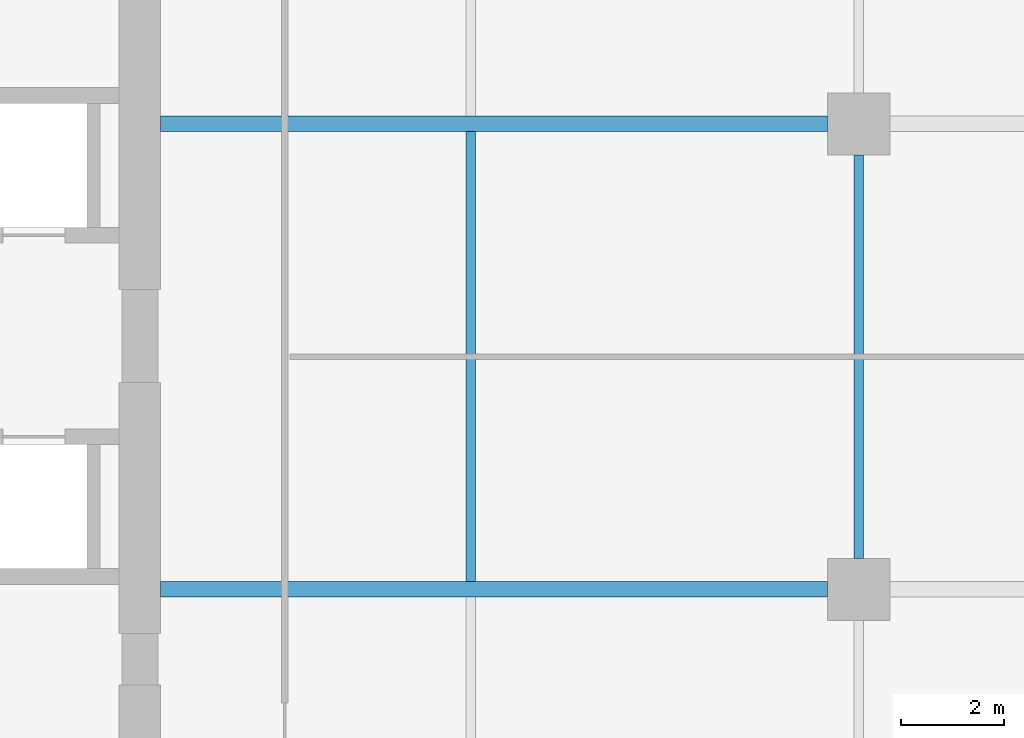
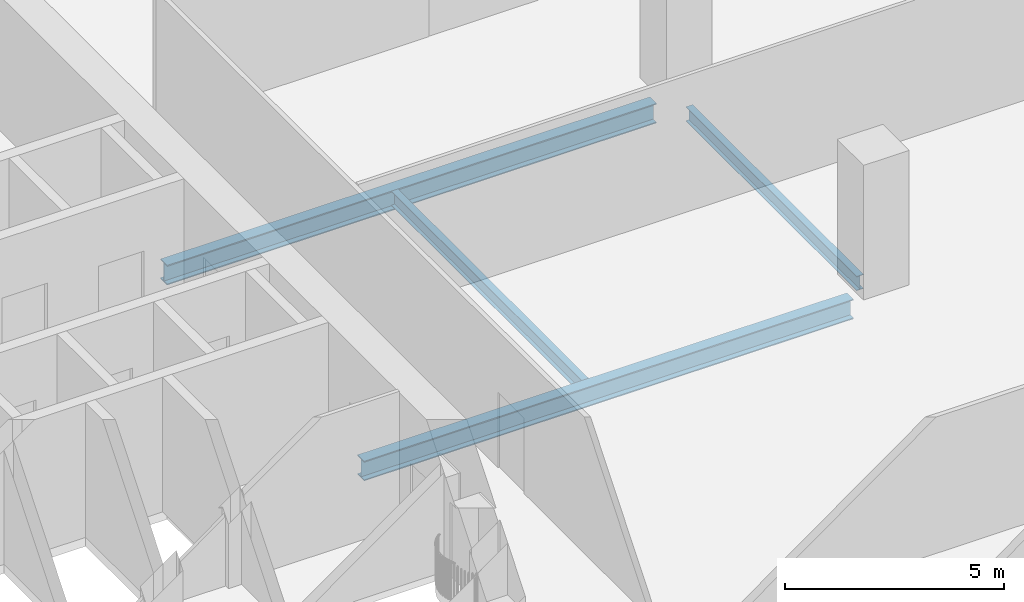
# One storey, part 9 of 40: 4 beams.
"""IFC4 building model written with IfcOpenShell, lengths in metres."""

from ifc_helpers import new_model, si_unit, direction, frame, origin, origin_2d, place, context, subcontext, project, spatial, i_section, extrude, source, transform, mapped, material, material_profile, profile_set, type_object, element, save


model = new_model("IFC4")

# Units and contexts
model_context = context("Model", 3, precision=1e-05, world=origin(), true_north=direction((0.0, 1.0)))
body_context = subcontext(model_context, "Body", "Model", "MODEL_VIEW")
ifc_project = project(units=[si_unit("LENGTHUNIT", "METRE"), si_unit("AREAUNIT", "SQUARE_METRE"), si_unit("VOLUMEUNIT", "CUBIC_METRE"), si_unit("PLANEANGLEUNIT", "RADIAN"), si_unit("MASSUNIT", "GRAM", prefix="KILO")], contexts=[model_context])

# Site, building, storey
site_placement = place(None, origin())
site = spatial("IfcSite", under=ifc_project, at=site_placement, CompositionType="ELEMENT")
building_placement = place(site_placement, origin())
building = spatial("IfcBuilding", under=site, at=building_placement, Name="Khomas Fold Tower", CompositionType="ELEMENT")
storey_placement = place(building_placement, frame((0.0, 0.0, 192.699951171875)))
storey = spatial("IfcBuildingStorey", under=building, at=storey_placement, Name="L42", CompositionType="ELEMENT", Elevation=192.699951171875)

# Beams
ifc_material_1 = material(Name="Steel S355", Category="steel")
ifc_material_profile_1 = material_profile(ifc_material_1, i_section(OverallWidth=0.179931640625, OverallDepth=0.39990234375, WebThickness=0.008544921875, FlangeThickness=0.013427734375, at=origin_2d()), Name="IPE 400")
ifc_profile_set_1 = profile_set([ifc_material_profile_1], Name="Steel S355")
beam_type_1 = type_object("IfcBeamType", Name="IPE 400 beam JB3", PredefinedType="BEAM", material=ifc_profile_set_1)
shared_shape_1 = source(origin(), body_context, "Body", "SweptSolid", [
    extrude(i_section(OverallWidth=0.179931640625, OverallDepth=0.39990234375, WebThickness=0.008544921875, FlangeThickness=0.013427734375, at=origin_2d()), origin(), (0.0, 0.0, 1.0), 8.7001953125),
])
beam_1_placement = place(storey_placement, frame((27.0, 22.64990234375, -0.449951171875), z_axis=(0.0, 1.0, 0.0), x_axis=(-1.0, 0.0, 0.0)))
element("IfcBeam", 1, at=beam_1_placement, inside=storey, type_object=beam_type_1, Name="JB3", PredefinedType="BEAM", context=body_context, shape_type="MappedRepresentation", body=[
    mapped(shared_shape_1, transform((0.0, 0.0, 0.0))),
])
ifc_material_2 = material(Name="Steel S355", Category="steel")
ifc_material_profile_2 = material_profile(ifc_material_2, i_section(OverallWidth=0.300048828125, OverallDepth=0.550048828125, WebThickness=0.014892578125, FlangeThickness=0.029052734375, at=origin_2d()), Name="HE 550 B")
ifc_profile_set_2 = profile_set([ifc_material_profile_2], Name="Steel S355")
beam_type_2 = type_object("IfcBeamType", Name="HE 550 B beam GB4", PredefinedType="BEAM", material=ifc_profile_set_2)
shared_shape_2 = source(origin(), body_context, "Body", "SweptSolid", [
    extrude(i_section(OverallWidth=0.300048828125, OverallDepth=0.550048828125, WebThickness=0.014892578125, FlangeThickness=0.029052734375, at=origin_2d()), origin(), (0.0, 0.0, 1.0), 12.89990234375),
])
for number, where, z_axis, x_axis, name in (
    (2, (21.0, 22.5, -0.52490234375), (1.0, 0.0, 0.0), (0.0, 1.0, 0.0), "GB4"),
    (3, (21.0, 31.5, -0.52490234375), (1.0, 0.0, 0.0), (0.0, 1.0, 0.0), "GB4"),
):
    element("IfcBeam", number, at=place(storey_placement, frame(where, z_axis=z_axis, x_axis=x_axis)), inside=storey, type_object=beam_type_2, Name=name, PredefinedType="BEAM", context=body_context, shape_type="MappedRepresentation", body=[
        mapped(shared_shape_2, transform((0.0, 0.0, 0.0))),
    ])
shared_shape_3 = source(origin(), body_context, "Body", "SweptSolid", [
    extrude(i_section(OverallWidth=0.179931640625, OverallDepth=0.39990234375, WebThickness=0.008544921875, FlangeThickness=0.013427734375, at=origin_2d()), origin(), (0.0, 0.0, 1.0), 7.7998046875),
])
beam_2_placement = place(storey_placement, frame((34.5, 23.10009765625, -0.449951171875), z_axis=(0.0, 1.0, 0.0), x_axis=(-1.0, 0.0, 0.0)))
element("IfcBeam", 4, at=beam_2_placement, inside=storey, type_object=beam_type_1, Name="JB3", PredefinedType="BEAM", context=body_context, shape_type="MappedRepresentation", body=[
    mapped(shared_shape_3, transform((0.0, 0.0, 0.0))),
])

save(model, "model.ifc")
